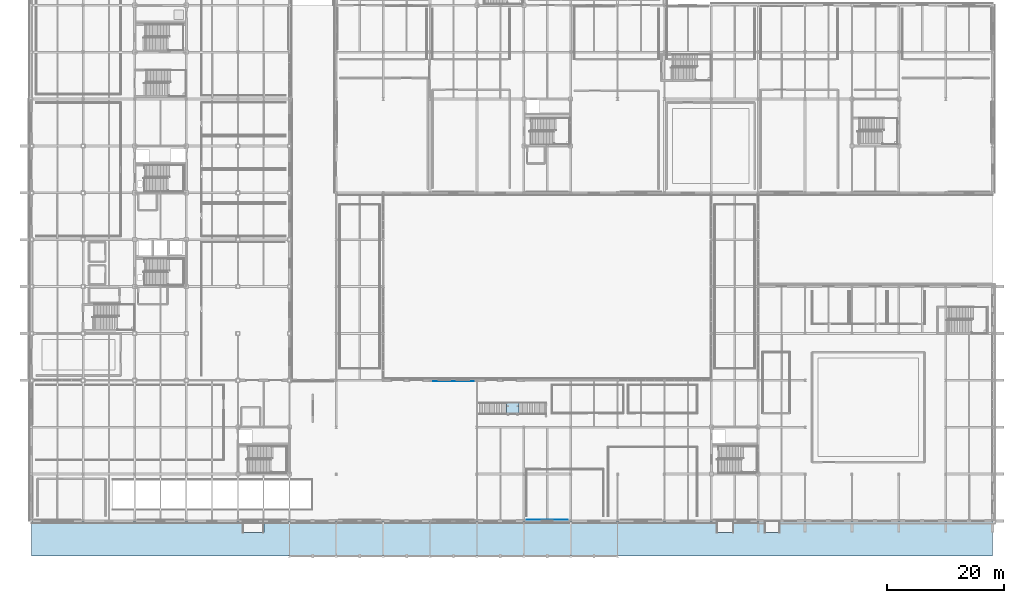
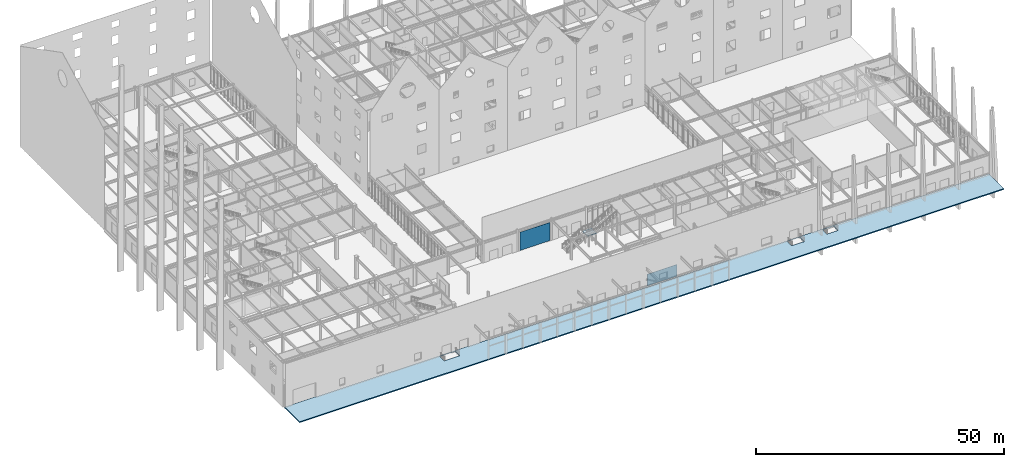
# One storey, part 59 of 119: 2 plates, 2 slabs, 1 element without a shape of its own.
"""IFC4 building model written with IfcOpenShell, lengths in metres."""

from ifc_helpers import new_model, si_unit, direction, frame, origin, origin_2d, place, context, subcontext, project, spatial, polyline, rectangle, outline, extrude, material, layer, layer_set, type_object, element, aggregate, save


model = new_model("IFC4")

# Units and contexts
model_context = context("Model", 3, precision=1e-05, world=origin(), true_north=direction((0.0, 1.0)))
body_context = subcontext(model_context, "Body", "Model", "MODEL_VIEW")
ifc_project = project(units=[si_unit("LENGTHUNIT", "METRE"), si_unit("AREAUNIT", "SQUARE_METRE"), si_unit("VOLUMEUNIT", "CUBIC_METRE"), si_unit("PLANEANGLEUNIT", "RADIAN"), si_unit("MASSUNIT", "GRAM", prefix="KILO")], contexts=[model_context])

# Site, building, storey
site_placement = place(None, origin())
site = spatial("IfcSite", under=ifc_project, at=site_placement, CompositionType="ELEMENT")
building_placement = place(site_placement, origin())
building = spatial("IfcBuilding", under=site, at=building_placement, Name="Zhaolan Boulevard Law Courts", CompositionType="ELEMENT")
storey_placement = place(building_placement, origin())
storey = spatial("IfcBuildingStorey", under=building, at=storey_placement, Name="L00", CompositionType="ELEMENT", Elevation=0.0)

# Slab
ifc_material_1 = material(Name="Concrete C40", Category="concrete")
ifc_layer_1 = layer(ifc_material_1, 0.25)
ifc_layer_set_1 = layer_set([ifc_layer_1])
slab_type_1 = type_object("IfcSlabType", Name="ARCADE SLAB 250", PredefinedType="FLOOR", material=ifc_layer_set_1)
slab_1_placement = place(storey_placement, frame((0.0, 0.0, -0.25)))
element("IfcSlab", 1, at=slab_1_placement, inside=storey, type_object=slab_type_1, Name="Slab SLB-L00-ARC", PredefinedType="FLOOR", context=body_context, shape_type="SweptSolid", body=[
    extrude(outline(polyline([(0.0, 0.0), (164.0, 0.0), (164.0, 6.0), (0.0, 6.0), (0.0, 0.0)]), holes=[polyline([(35.97998046875, 3.989990234375), (39.6201171875, 3.989990234375), (39.6201171875, 5.97998046875), (35.97998046875, 5.97998046875), (35.97998046875, 3.989990234375)]), polyline([(116.8798828125, 3.989990234375), (119.820068359375, 3.989990234375), (119.820068359375, 5.97998046875), (116.8798828125, 5.97998046875), (116.8798828125, 3.989990234375)]), polyline([(125.080078125, 3.989990234375), (127.719970703125, 3.989990234375), (127.719970703125, 5.97998046875), (125.080078125, 5.97998046875), (125.080078125, 3.989990234375)])]), origin(), (0.0, 0.0, 1.0), 0.25),
])

# Stair, slab
ifc_material_2 = material(Name="Concrete C40", Category="concrete")
stair_type = type_object("IfcStairType", Name="GRAND PUBLIC STAIR 540", PredefinedType="STRAIGHT_RUN_STAIR", material=ifc_material_2)
stair_placement = place(storey_placement, origin())
stair = element("IfcStair", 2, at=stair_placement, inside=storey, type_object=stair_type, Name="Stair ST06-L00", PredefinedType="STRAIGHT_RUN_STAIR")
ifc_material_3 = material(Name="Concrete C40", Category="concrete")
ifc_layer_2 = layer(ifc_material_3, 0.199951171875)
ifc_layer_set_2 = layer_set([ifc_layer_2])
slab_type_2 = type_object("IfcSlabType", Name="STAIR LANDING 200", PredefinedType="LANDING", material=ifc_layer_set_2)
slab_2_placement = place(storey_placement, frame((0.0, 0.0, 2.5)))
slab_2 = element("IfcSlab", 3, at=slab_2_placement, type_object=slab_type_2, Name="Stair Landing ST06-L00-L1", PredefinedType="LANDING", context=body_context, shape_type="SweptSolid", body=[
    extrude(outline(polyline([(81.0400390625, 24.199951171875), (83.18994140625, 24.199951171875), (83.18994140625, 26.199951171875), (81.0400390625, 26.199951171875), (81.0400390625, 24.199951171875)])), origin(), (0.0, 0.0, 1.0), 0.199951171875),
])
aggregate(stair, [slab_2])

# Plates
ifc_material_4 = material(Name="Pale mist-grey standing-seam Al-Mg-Mn zinc-titanium")
ifc_layer_3 = layer(ifc_material_4, 0.0400390625)
ifc_layer_set_3 = layer_set([ifc_layer_3])
plate_type_1 = type_object("IfcPlateType", Name="STANDING SEAM PLATE 40", PredefinedType="SHEET", material=ifc_layer_set_3)
plate_1_placement = place(storey_placement, frame((72.0, 29.820068359375, 0.099609375), z_axis=(0.0, 0.0, 1.0), x_axis=(-1.0, 0.0, 0.0)))
element("IfcPlate", 4, at=plate_1_placement, inside=storey, type_object=plate_type_1, Name="Standing-Seam Metal Wall Cladding SSP-L00-138", PredefinedType="SHEET", context=body_context, shape_type="SweptSolid", body=[
    extrude(rectangle(XDim=6.9599609375, YDim=0.0400390625, at=origin_2d()), origin(), (0.0, 0.0, 1.0), 4.48291015625),
])
ifc_material_5 = material(Name="Pale mist-grey standing-seam Al-Mg-Mn zinc-titanium")
ifc_layer_4 = layer(ifc_material_5, 0.06005859375)
ifc_layer_set_4 = layer_set([ifc_layer_4])
plate_type_2 = type_object("IfcPlateType", Name="STANDING SEAM PLATE 60", PredefinedType="SHEET", material=ifc_layer_set_4)
plate_2_placement = place(storey_placement, frame((88.0, 6.18994140625, 0.10009765625), z_axis=(0.0, 0.0, 1.0), x_axis=(1.0, 0.0, 0.0)))
element("IfcPlate", 5, at=plate_2_placement, inside=storey, type_object=plate_type_2, Name="Standing-Seam Metal Wall Cladding SSP-L00-130", PredefinedType="SHEET", context=body_context, shape_type="SweptSolid", body=[
    extrude(rectangle(XDim=6.9599609375, YDim=0.06005859375, at=origin_2d()), origin(), (0.0, 0.0, 1.0), 2.887939453125),
])

save(model, "model.ifc")
